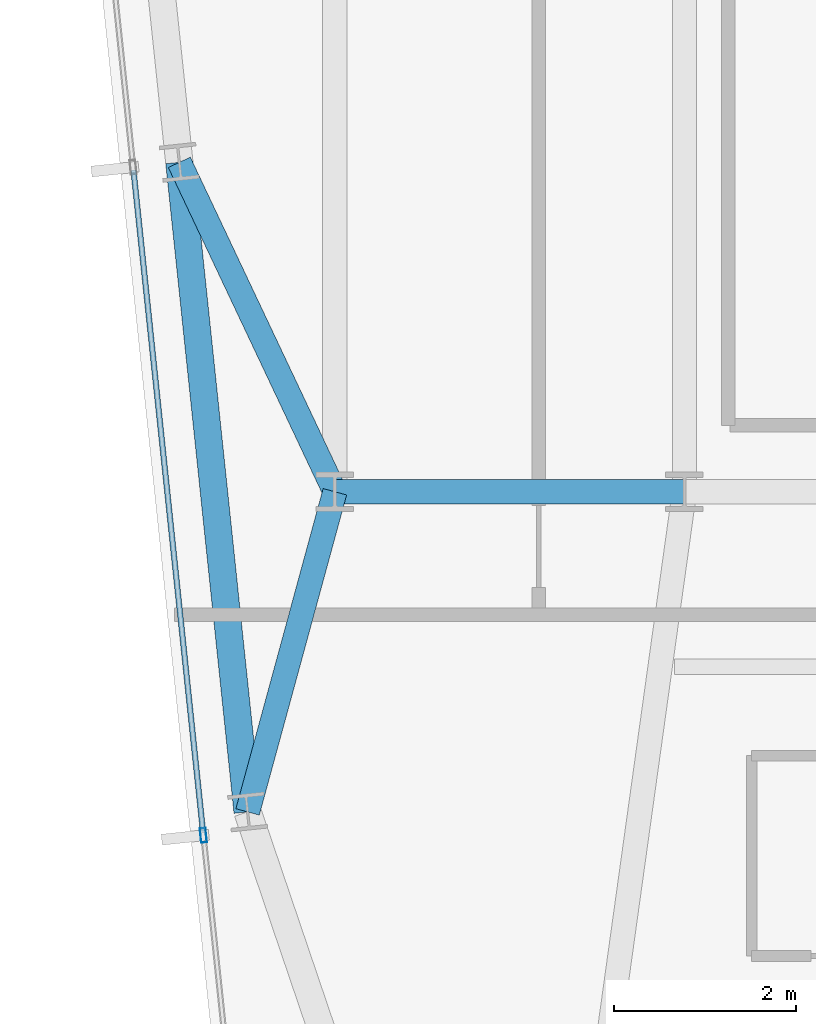
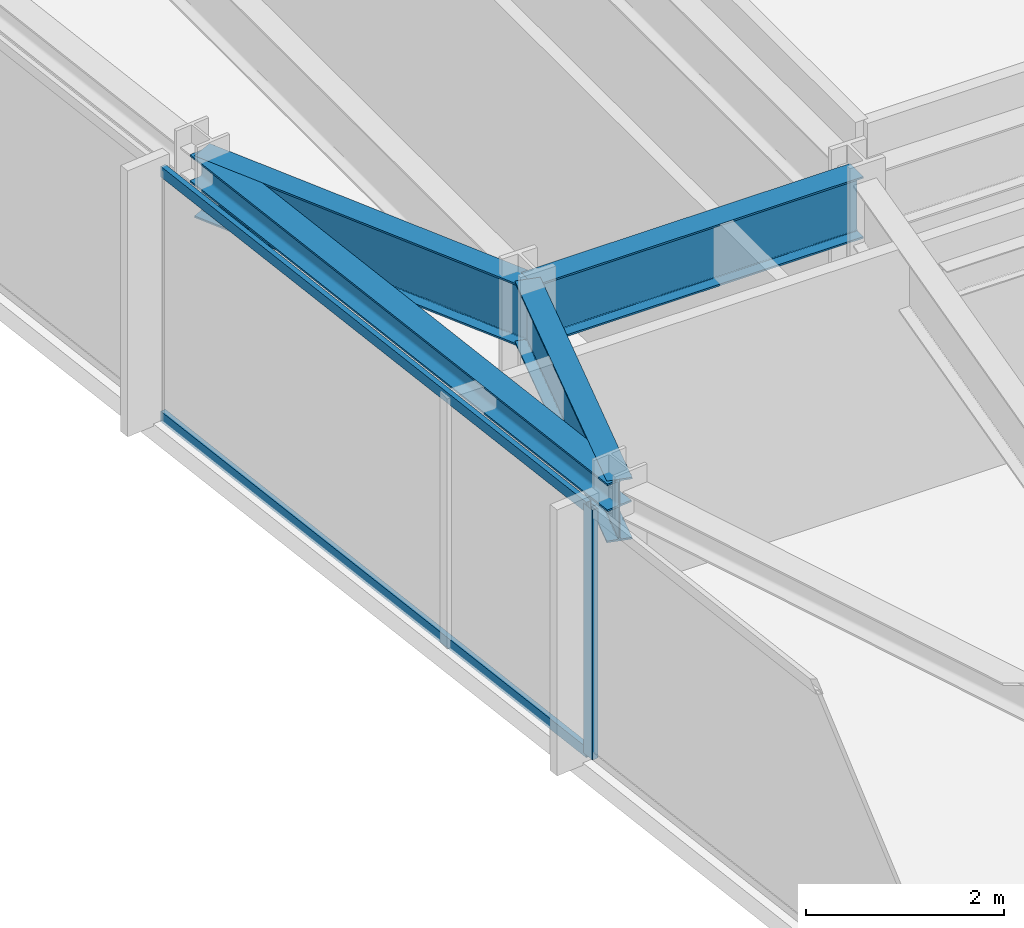
# One storey, part 5 of 33: 4 beams, 3 members, 1 element without a shape of its own.
"""IFC4 building model written with IfcOpenShell, lengths in metres."""

from ifc_helpers import new_model, si_unit, direction, frame, origin, origin_2d, place, context, subcontext, project, spatial, hollow_rectangle, i_section, extrude, material, material_profile, profile_set, type_object, element, aggregate, save


model = new_model("IFC4")

# Units and contexts
model_context = context("Model", 3, precision=1e-05, world=origin(), true_north=direction((0.0, 1.0)))
body_context = subcontext(model_context, "Body", "Model", "MODEL_VIEW")
ifc_project = project(units=[si_unit("LENGTHUNIT", "METRE"), si_unit("AREAUNIT", "SQUARE_METRE"), si_unit("VOLUMEUNIT", "CUBIC_METRE"), si_unit("PLANEANGLEUNIT", "RADIAN"), si_unit("MASSUNIT", "GRAM", prefix="KILO")], contexts=[model_context])

# Site, building, storey
site_placement = place(None, origin())
site = spatial("IfcSite", under=ifc_project, at=site_placement, CompositionType="ELEMENT")
building_placement = place(site_placement, origin())
building = spatial("IfcBuilding", under=site, at=building_placement, Name="Yelkora Congress Tower", CompositionType="ELEMENT")
storey_placement = place(building_placement, frame((0.0, 0.0, 224.300048828125)))
storey = spatial("IfcBuildingStorey", under=building, at=storey_placement, Name="L62", CompositionType="ELEMENT", Elevation=224.300048828125)

# Beams
ifc_material_1 = material(Name="Steel S355J2", Category="steel")
ifc_material_profile_1 = material_profile(ifc_material_1, i_section(OverallWidth=0.26708984375, OverallDepth=0.761962890625, WebThickness=0.014404296875, FlangeThickness=0.021484375, FilletRadius=0.01708984375, at=origin_2d()), Name="IPE 750x173")
ifc_profile_set_1 = profile_set([ifc_material_profile_1], Name="Steel S355J2")
beam_type_1 = type_object("IfcBeamType", Name="BM-GIRD-IPE750", PredefinedType="BEAM", material=ifc_profile_set_1)
beam_1_placement = place(storey_placement, frame((19.199951171875, 25.199951171875, 2.698974609375), z_axis=(1.0, 0.0, 0.0), x_axis=(0.0, 1.0, 0.0)))
element("IfcBeam", 1, at=beam_1_placement, inside=storey, type_object=beam_type_1, Name="L62 Spine Grid D Girder 1", PredefinedType="BEAM", context=body_context, shape_type="SweptSolid", body=[
    extrude(i_section(OverallWidth=0.26708984375, OverallDepth=0.761962890625, WebThickness=0.014404296875, FlangeThickness=0.021484375, FilletRadius=0.01708984375, at=origin_2d()), origin(), (0.0, 0.0, 1.0), 3.840087890625),
])
beam_2_placement = place(storey_placement, frame((18.2412109375, 21.68310546875, 2.698974609375), z_axis=(0.263015394472, 0.964791636713, 0.0), x_axis=(-0.964791636713, 0.263015394472, 0.0)))
element("IfcBeam", 2, at=beam_2_placement, inside=storey, type_object=beam_type_1, Name="L62 Primary Frame Girder W01", PredefinedType="BEAM", context=body_context, shape_type="SweptSolid", body=[
    extrude(i_section(OverallWidth=0.26708984375, OverallDepth=0.761962890625, WebThickness=0.014404296875, FlangeThickness=0.021484375, FilletRadius=0.01708984375, at=origin_2d()), origin(), (0.0, 0.0, 1.0), 3.645263671875),
])
beam_3_placement = place(storey_placement, frame((17.4912109375, 28.81884765625, 2.698974609375), z_axis=(0.426968894221, -0.904266312193, 0.0), x_axis=(0.904266312193, 0.426968894221, 0.0)))
element("IfcBeam", 3, at=beam_3_placement, inside=storey, type_object=beam_type_1, Name="L62 Primary Frame Girder W02", PredefinedType="BEAM", context=body_context, shape_type="SweptSolid", body=[
    extrude(i_section(OverallWidth=0.26708984375, OverallDepth=0.761962890625, WebThickness=0.014404296875, FlangeThickness=0.021484375, FilletRadius=0.01708984375, at=origin_2d()), origin(), (0.0, 0.0, 1.0), 4.001953125),
])
ifc_material_profile_2 = material_profile(ifc_material_1, i_section(OverallWidth=0.300048828125, OverallDepth=0.340087890625, WebThickness=0.011962890625, FlangeThickness=0.021484375, FilletRadius=0.027099609375, at=origin_2d()), Name="HEB 340")
ifc_profile_set_2 = profile_set([ifc_material_profile_2], Name="Steel S355J2")
beam_type_2 = type_object("IfcBeamType", Name="BM-SPAN-HEB340", PredefinedType="SPANDREL", material=ifc_profile_set_2)
beam_4_placement = place(storey_placement, frame((17.4912109375, 28.81884765625, 2.909912109375), z_axis=(0.104528914631, -0.994521847928, 0.0), x_axis=(0.994521847928, 0.104528914631, 0.0)))
element("IfcBeam", 4, at=beam_4_placement, inside=storey, type_object=beam_type_2, Name="L62 Perimeter Beam 1", PredefinedType="SPANDREL", context=body_context, shape_type="SweptSolid", body=[
    extrude(i_section(OverallWidth=0.300048828125, OverallDepth=0.340087890625, WebThickness=0.011962890625, FlangeThickness=0.021484375, FilletRadius=0.027099609375, at=origin_2d()), origin(), (0.0, 0.0, 1.0), 7.175048828125),
])

# Curtain wall, members
ifc_material_2 = material(Name="Anodised aluminium and insulated glass", Category="aluminium")
curtain_wall_type = type_object("IfcCurtainWallType", Name="CW-SYS-B4", PredefinedType="NOTDEFINED", material=ifc_material_2)
curtain_wall_placement = place(storey_placement, origin())
curtain_wall = element("IfcCurtainWall", 5, at=curtain_wall_placement, inside=storey, type_object=curtain_wall_type, Name="L62 Unitised Curtain Wall 5", PredefinedType="NOTDEFINED")
ifc_material_3 = material(Name="Anodised aluminium 6063-T6", Category="aluminium")
ifc_material_profile_3 = material_profile(ifc_material_3, hollow_rectangle(XDim=0.06494140625, YDim=0.159912109375, WallThickness=0.00390625, at=origin_2d()), Name="ALU 65x160x4")
ifc_profile_set_3 = profile_set([ifc_material_profile_3], Name="Anodised aluminium 6063-T6")
member_type_1 = type_object("IfcMemberType", Name="MEM-ML-B4", PredefinedType="MULLION", material=ifc_profile_set_3)
member_1_placement = place(storey_placement, frame((17.75537109375, 21.426025390625, 0.0), z_axis=(0.0, 0.0, 1.0), x_axis=(-0.994522145958, -0.104526079034, 0.0)))
member_1 = element("IfcMember", 6, at=member_1_placement, type_object=member_type_1, Name="CW-B4 mullion 2", PredefinedType="MULLION", context=body_context, shape_type="SweptSolid", body=[
    extrude(hollow_rectangle(XDim=0.06494140625, YDim=0.159912109375, WallThickness=0.00390625, at=origin_2d()), origin(), (0.0, 0.0, 1.0), 3.079833984375),
])
ifc_material_profile_4 = material_profile(ifc_material_3, hollow_rectangle(XDim=0.06005859375, YDim=0.1298828125, WallThickness=0.00390625, at=origin_2d()), Name="ALU 60x130x4")
ifc_profile_set_4 = profile_set([ifc_material_profile_4], Name="Anodised aluminium 6063-T6")
member_type_2 = type_object("IfcMemberType", Name="MEM-TR-B4", PredefinedType="USERDEFINED", material=ifc_profile_set_4)
member_2_placement = place(storey_placement, frame((17.751953125, 21.458251953125, 0.030029296875), z_axis=(-0.104528426736, 0.994521899208, 0.0), x_axis=(-0.994521899208, -0.104528426736, 0.0)))
member_2 = element("IfcMember", 7, at=member_2_placement, type_object=member_type_2, Name="CW-B4 transom 2.1", ObjectType="TRANSOM", PredefinedType="USERDEFINED", context=body_context, shape_type="SweptSolid", body=[
    extrude(hollow_rectangle(XDim=0.06005859375, YDim=0.1298828125, WallThickness=0.00390625, at=origin_2d()), origin(), (0.0, 0.0, 1.0), 7.315185546875),
])
member_3_placement = place(storey_placement, frame((17.751953125, 21.458251953125, 3.050048828125), z_axis=(-0.104528426736, 0.994521899208, 0.0), x_axis=(-0.994521899208, -0.104528426736, 0.0)))
member_3 = element("IfcMember", 8, at=member_3_placement, type_object=member_type_2, Name="CW-B4 transom 2.2", ObjectType="TRANSOM", PredefinedType="USERDEFINED", context=body_context, shape_type="SweptSolid", body=[
    extrude(hollow_rectangle(XDim=0.06005859375, YDim=0.1298828125, WallThickness=0.00390625, at=origin_2d()), origin(), (0.0, 0.0, 1.0), 7.315185546875),
])
aggregate(curtain_wall, [member_1, member_2, member_3])

save(model, "model.ifc")
